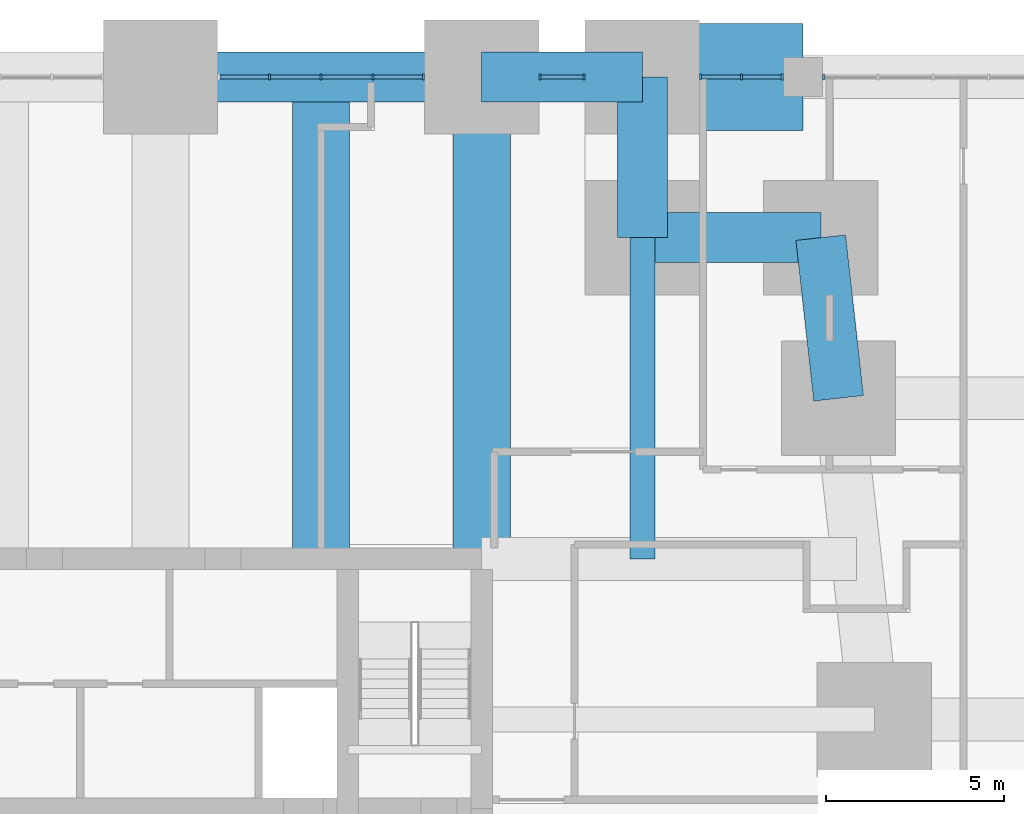
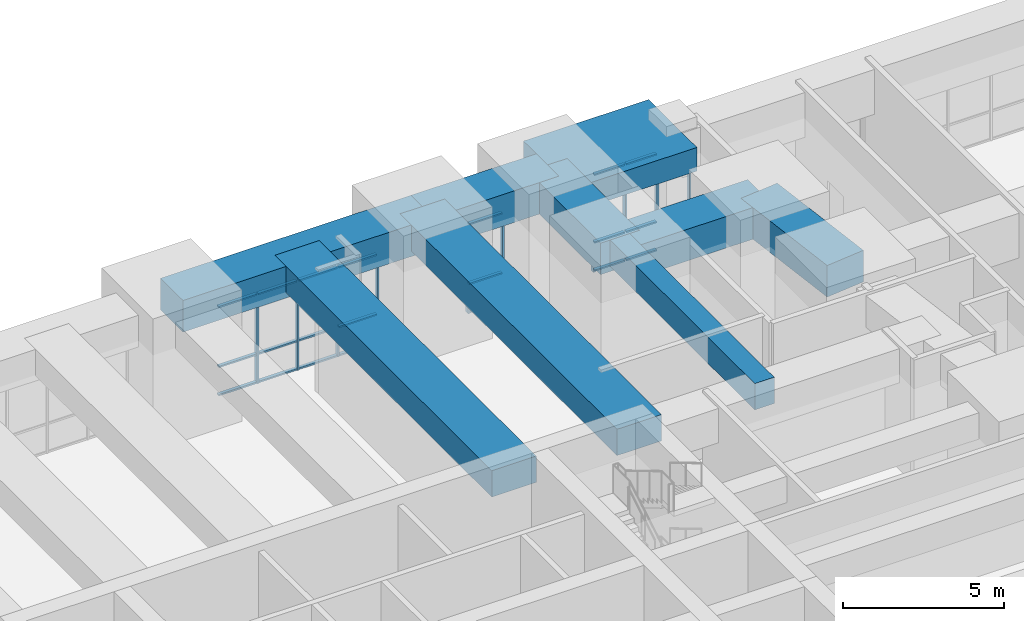
# One storey, part 10 of 22: 31 members, 9 beams, 4 elements without a shape of their own.
"""IFC4 building model written with IfcOpenShell, lengths in metres."""

from ifc_helpers import new_model, si_unit, direction, frame, origin, origin_2d, place, context, subcontext, project, spatial, rectangle, extrude, material, material_profile, profile_set, type_object, element, aggregate, save


model = new_model("IFC4")

# Units and contexts
model_context = context("Model", 3, precision=1e-05, world=origin(), true_north=direction((0.0, 1.0)))
body_context = subcontext(model_context, "Body", "Model", "MODEL_VIEW")
ifc_project = project(units=[si_unit("LENGTHUNIT", "METRE"), si_unit("AREAUNIT", "SQUARE_METRE"), si_unit("VOLUMEUNIT", "CUBIC_METRE"), si_unit("PLANEANGLEUNIT", "RADIAN"), si_unit("MASSUNIT", "GRAM", prefix="KILO")], contexts=[model_context])

# Site, building, storey
site_placement = place(None, origin())
site = spatial("IfcSite", under=ifc_project, at=site_placement, CompositionType="ELEMENT")
building_placement = place(site_placement, origin())
building = spatial("IfcBuilding", under=site, at=building_placement, Name="Kilele Tower Hotel", CompositionType="ELEMENT")
storey_placement = place(building_placement, frame((0.0, 0.0, 19.0)))
storey = spatial("IfcBuildingStorey", under=building, at=storey_placement, Name="L03", CompositionType="ELEMENT", Elevation=19.0)

# Beams
ifc_material_1 = material(Name="Concrete C60/75", Category="concrete")
ifc_material_profile_1 = material_profile(ifc_material_1, rectangle(XDim=1.60009765625, YDim=1.0, at=origin_2d()))
ifc_profile_set_1 = profile_set([ifc_material_profile_1], Name="Concrete C60/75")
beam_type_1 = type_object("IfcBeamType", Name="Beam RC 1600x1000 C60/75", PredefinedType="BEAM", material=ifc_profile_set_1)
for number, where, z_axis, x_axis, name in (
    (1, (36.0, 40.5, 4.10009765625), (0.0, -1.0, 0.0), (1.0, 0.0, 0.0), "Beam BC1 level L04"),
    (2, (31.5, 40.5, 4.10009765625), (0.0, -1.0, 0.0), (1.0, 0.0, 0.0), "Beam BC1 level L04"),
):
    element("IfcBeam", number, at=place(storey_placement, frame(where, z_axis=z_axis, x_axis=x_axis)), inside=storey, type_object=beam_type_1, Name=name, PredefinedType="BEAM", context=body_context, shape_type="SweptSolid", body=[
        extrude(rectangle(XDim=1.60009765625, YDim=1.0, at=origin_2d()), origin(), (0.0, 0.0, 1.0), 13.5),
    ])
ifc_material_2 = material(Name="Concrete C60/75", Category="concrete")
ifc_material_profile_2 = material_profile(ifc_material_2, rectangle(XDim=3.0, YDim=0.89990234375, at=origin_2d()))
ifc_profile_set_2 = profile_set([ifc_material_profile_2], Name="Concrete C60/75")
beam_type_2 = type_object("IfcBeamType", Name="Beam RC 3000x900 C60/75", PredefinedType="BEAM", material=ifc_profile_set_2)
beam_1_placement = place(storey_placement, frame((40.5, 40.5, 4.14990234375), z_axis=(1.0, 0.0, 0.0), x_axis=(0.0, 1.0, 0.0)))
element("IfcBeam", 3, at=beam_1_placement, inside=storey, type_object=beam_type_2, Name="Beam PB1 level L04", PredefinedType="BEAM", context=body_context, shape_type="SweptSolid", body=[
    extrude(rectangle(XDim=3.0, YDim=0.89990234375, at=origin_2d()), origin(), (0.0, 0.0, 1.0), 4.5),
])
ifc_material_3 = material(Name="Concrete C60/75", Category="concrete")
ifc_material_profile_3 = material_profile(ifc_material_3, rectangle(XDim=0.699951171875, YDim=1.0, at=origin_2d()))
ifc_profile_set_3 = profile_set([ifc_material_profile_3], Name="Concrete C60/75")
beam_type_3 = type_object("IfcBeamType", Name="Beam RC 700x1000 C60/75 mid span", PredefinedType="BEAM", material=ifc_profile_set_3)
beam_2_placement = place(storey_placement, frame((40.5, 36.0, 4.10009765625), z_axis=(0.0, -1.0, 0.0), x_axis=(1.0, 0.0, 0.0)))
element("IfcBeam", 4, at=beam_2_placement, inside=storey, type_object=beam_type_3, Name="Beam B5 level L04", PredefinedType="BEAM", context=body_context, shape_type="SweptSolid", body=[
    extrude(rectangle(XDim=0.699951171875, YDim=1.0, at=origin_2d()), origin(), (0.0, 0.0, 1.0), 9.0),
])

# Curtain wall, member
ifc_material_4 = material(Name="Aluminium curtain wall, clear double glazing", Category="aluminium")
curtain_wall_type = type_object("IfcCurtainWallType", Name="Podium curtain wall CW-1", PredefinedType="NOTDEFINED", material=ifc_material_4)
curtain_wall_1_placement = place(storey_placement, origin())
curtain_wall_1 = element("IfcCurtainWall", 5, at=curtain_wall_1_placement, inside=storey, type_object=curtain_wall_type, Name="Podium curtain wall CW-1 L03", PredefinedType="NOTDEFINED")
ifc_material_5 = material(Name="Aluminium EN AW-6063 T6", Category="aluminium")
ifc_material_profile_4 = material_profile(ifc_material_5, rectangle(XDim=0.159912109375, YDim=0.06005859375, at=origin_2d()))
ifc_profile_set_4 = profile_set([ifc_material_profile_4], Name="Aluminium EN AW-6063 T6")
member_type_1 = type_object("IfcMemberType", Name="Mullion 60x160 CW-1", PredefinedType="MULLION", material=ifc_profile_set_4)
member_1_placement = place(storey_placement, frame((45.580078125, 40.5, 0.0), z_axis=(0.0, 0.0, 1.0), x_axis=(0.0, -1.0, 0.0)))
member_1 = element("IfcMember", 6, at=member_1_placement, type_object=member_type_1, Name="CW-1 mullion 9", PredefinedType="MULLION", context=body_context, shape_type="SweptSolid", body=[
    extrude(rectangle(XDim=0.159912109375, YDim=0.06005859375, at=origin_2d()), origin(), (0.0, 0.0, 1.0), 2.89990234375),
])
aggregate(curtain_wall_1, [member_1])

# Curtain wall, members
curtain_wall_2_placement = place(storey_placement, origin())
curtain_wall_2 = element("IfcCurtainWall", 7, at=curtain_wall_2_placement, inside=storey, type_object=curtain_wall_type, Name="Podium curtain wall CW-1 L03", PredefinedType="NOTDEFINED")
member_2_placement = place(storey_placement, frame((44.419921875, 40.5, 0.0), z_axis=(0.0, 0.0, 1.0), x_axis=(0.0, -1.0, 0.0)))
member_2 = element("IfcMember", 8, at=member_2_placement, type_object=member_type_1, Name="CW-1 mullion 1", PredefinedType="MULLION", context=body_context, shape_type="SweptSolid", body=[
    extrude(rectangle(XDim=0.159912109375, YDim=0.06005859375, at=origin_2d()), origin(), (0.0, 0.0, 1.0), 3.699951171875),
])
member_3_placement = place(storey_placement, frame((43.27490234375, 40.5, 0.0), z_axis=(0.0, 0.0, 1.0), x_axis=(0.0, -1.0, 0.0)))
member_3 = element("IfcMember", 9, at=member_3_placement, type_object=member_type_1, Name="CW-1 mullion 2", PredefinedType="MULLION", context=body_context, shape_type="SweptSolid", body=[
    extrude(rectangle(XDim=0.159912109375, YDim=0.06005859375, at=origin_2d()), origin(), (0.0, 0.0, 1.0), 3.699951171875),
])
member_4_placement = place(storey_placement, frame((42.1298828125, 40.5, 0.0), z_axis=(0.0, 0.0, 1.0), x_axis=(0.0, -1.0, 0.0)))
member_4 = element("IfcMember", 10, at=member_4_placement, type_object=member_type_1, Name="CW-1 mullion 3", PredefinedType="MULLION", context=body_context, shape_type="SweptSolid", body=[
    extrude(rectangle(XDim=0.159912109375, YDim=0.06005859375, at=origin_2d()), origin(), (0.0, 0.0, 1.0), 3.699951171875),
])

curtain_wall_3_placement = place(storey_placement, origin())
curtain_wall_3 = element("IfcCurtainWall", 11, at=curtain_wall_3_placement, inside=storey, type_object=curtain_wall_type, Name="Podium curtain wall CW-1 L03", PredefinedType="NOTDEFINED")
member_5_placement = place(storey_placement, frame((38.8701171875, 40.5, 0.0), z_axis=(0.0, 0.0, 1.0), x_axis=(0.0, -1.0, 0.0)))
member_5 = element("IfcMember", 12, at=member_5_placement, type_object=member_type_1, Name="CW-1 mullion 1", PredefinedType="MULLION", context=body_context, shape_type="SweptSolid", body=[
    extrude(rectangle(XDim=0.159912109375, YDim=0.06005859375, at=origin_2d()), origin(), (0.0, 0.0, 1.0), 3.39990234375),
])
member_6_placement = place(storey_placement, frame((37.6298828125, 40.5, 0.0), z_axis=(0.0, 0.0, 1.0), x_axis=(0.0, -1.0, 0.0)))
member_6 = element("IfcMember", 13, at=member_6_placement, type_object=member_type_1, Name="CW-1 mullion 2", PredefinedType="MULLION", context=body_context, shape_type="SweptSolid", body=[
    extrude(rectangle(XDim=0.159912109375, YDim=0.06005859375, at=origin_2d()), origin(), (0.0, 0.0, 1.0), 3.39990234375),
])

curtain_wall_4_placement = place(storey_placement, origin())
curtain_wall_4 = element("IfcCurtainWall", 14, at=curtain_wall_4_placement, inside=storey, type_object=curtain_wall_type, Name="Podium curtain wall CW-1 L03", PredefinedType="NOTDEFINED")
member_7_placement = place(storey_placement, frame((34.3701171875, 40.5, 0.0), z_axis=(0.0, 0.0, 1.0), x_axis=(0.0, -1.0, 0.0)))
member_7 = element("IfcMember", 15, at=member_7_placement, type_object=member_type_1, Name="CW-1 mullion 1", PredefinedType="MULLION", context=body_context, shape_type="SweptSolid", body=[
    extrude(rectangle(XDim=0.159912109375, YDim=0.06005859375, at=origin_2d()), origin(), (0.0, 0.0, 1.0), 3.39990234375),
])
member_8_placement = place(storey_placement, frame((32.949951171875, 40.5, 0.0), z_axis=(0.0, 0.0, 1.0), x_axis=(0.0, -1.0, 0.0)))
member_8 = element("IfcMember", 16, at=member_8_placement, type_object=member_type_1, Name="CW-1 mullion 2", PredefinedType="MULLION", context=body_context, shape_type="SweptSolid", body=[
    extrude(rectangle(XDim=0.159912109375, YDim=0.06005859375, at=origin_2d()), origin(), (0.0, 0.0, 1.0), 3.39990234375),
])
member_9_placement = place(storey_placement, frame((31.5, 40.5, 0.0), z_axis=(0.0, 0.0, 1.0), x_axis=(0.0, -1.0, 0.0)))
member_9 = element("IfcMember", 17, at=member_9_placement, type_object=member_type_1, Name="CW-1 mullion 3", PredefinedType="MULLION", context=body_context, shape_type="SweptSolid", body=[
    extrude(rectangle(XDim=0.159912109375, YDim=0.06005859375, at=origin_2d()), origin(), (0.0, 0.0, 1.0), 3.39990234375),
])
member_10_placement = place(storey_placement, frame((30.050048828125, 40.5, 0.0), z_axis=(0.0, 0.0, 1.0), x_axis=(0.0, -1.0, 0.0)))
member_10 = element("IfcMember", 18, at=member_10_placement, type_object=member_type_1, Name="CW-1 mullion 4", PredefinedType="MULLION", context=body_context, shape_type="SweptSolid", body=[
    extrude(rectangle(XDim=0.159912109375, YDim=0.06005859375, at=origin_2d()), origin(), (0.0, 0.0, 1.0), 3.39990234375),
])

# Beams
ifc_material_6 = material(Name="Concrete C60/75", Category="concrete")
ifc_material_profile_5 = material_profile(ifc_material_6, rectangle(XDim=1.39990234375, YDim=1.199951171875, at=origin_2d()))
ifc_profile_set_5 = profile_set([ifc_material_profile_5], Name="Concrete C60/75")
beam_type_4 = type_object("IfcBeamType", Name="Spandrel RC 1400x1200 C60/75", PredefinedType="SPANDREL", material=ifc_profile_set_5)
beam_3_placement = place(storey_placement, frame((46.0, 31.5, 4.0), z_axis=(-0.110431526075, 0.993883734674, 0.0), x_axis=(-0.993883734674, -0.110431526075, 0.0)))
element("IfcBeam", 19, at=beam_3_placement, inside=storey, type_object=beam_type_4, Name="Spandrel SP10 level L04", PredefinedType="SPANDREL", context=body_context, shape_type="SweptSolid", body=[
    extrude(rectangle(XDim=1.39990234375, YDim=1.199951171875, at=origin_2d()), origin(), (0.0, 0.0, 1.0), 4.527587890625),
])
beam_4_placement = place(storey_placement, frame((45.5, 36.0, 4.0), z_axis=(-1.0, 0.0, 0.0), x_axis=(0.0, -1.0, 0.0)))
element("IfcBeam", 20, at=beam_4_placement, inside=storey, type_object=beam_type_4, Name="Spandrel SP10 level L04", PredefinedType="SPANDREL", context=body_context, shape_type="SweptSolid", body=[
    extrude(rectangle(XDim=1.39990234375, YDim=1.199951171875, at=origin_2d()), origin(), (0.0, 0.0, 1.0), 5.0),
])
for number, where, z_axis, x_axis, name in (
    (21, (40.5, 36.0, 4.0), (0.0, 1.0, 0.0), (-1.0, 0.0, 0.0), "Spandrel SP10 level L04"),
    (22, (40.5, 40.5, 4.0), (-1.0, 0.0, 0.0), (0.0, -1.0, 0.0), "Spandrel SP10 level L04"),
):
    element("IfcBeam", number, at=place(storey_placement, frame(where, z_axis=z_axis, x_axis=x_axis)), inside=storey, type_object=beam_type_4, Name=name, PredefinedType="SPANDREL", context=body_context, shape_type="SweptSolid", body=[
        extrude(rectangle(XDim=1.39990234375, YDim=1.199951171875, at=origin_2d()), origin(), (0.0, 0.0, 1.0), 4.5),
    ])
beam_5_placement = place(storey_placement, frame((36.0, 40.5, 4.0), z_axis=(-1.0, 0.0, 0.0), x_axis=(0.0, -1.0, 0.0)))
element("IfcBeam", 23, at=beam_5_placement, inside=storey, type_object=beam_type_4, Name="Spandrel SP10 level L04", PredefinedType="SPANDREL", context=body_context, shape_type="SweptSolid", body=[
    extrude(rectangle(XDim=1.39990234375, YDim=1.199951171875, at=origin_2d()), origin(), (0.0, 0.0, 1.0), 9.0),
])

# Member
ifc_material_7 = material(Name="Aluminium EN AW-6063 T6", Category="aluminium")
ifc_material_profile_6 = material_profile(ifc_material_7, rectangle(XDim=0.1201171875, YDim=0.06005859375, at=origin_2d()))
ifc_profile_set_6 = profile_set([ifc_material_profile_6], Name="Aluminium EN AW-6063 T6")
member_type_2 = type_object("IfcMemberType", Name="Transom 60x120 CW-1", PredefinedType="USERDEFINED", material=ifc_profile_set_6)
member_11_placement = place(storey_placement, frame((44.389892578125, 40.5, 0.030029296875), z_axis=(-1.0, 0.0, 0.0), x_axis=(0.0, -1.0, 0.0)))
member_11 = element("IfcMember", 24, at=member_11_placement, type_object=member_type_2, Name="CW-1 transom 1.1", ObjectType="TRANSOM", PredefinedType="USERDEFINED", context=body_context, shape_type="SweptSolid", body=[
    extrude(rectangle(XDim=0.1201171875, YDim=0.06005859375, at=origin_2d()), origin(), (0.0, 0.0, 1.0), 1.0849609375),
])

member_12_placement = place(storey_placement, frame((44.389892578125, 40.5, 1.10009765625), z_axis=(-1.0, 0.0, 0.0), x_axis=(0.0, -1.0, 0.0)))
member_12 = element("IfcMember", 25, at=member_12_placement, type_object=member_type_2, Name="CW-1 transom 1.2", ObjectType="TRANSOM", PredefinedType="USERDEFINED", context=body_context, shape_type="SweptSolid", body=[
    extrude(rectangle(XDim=0.1201171875, YDim=0.06005859375, at=origin_2d()), origin(), (0.0, 0.0, 1.0), 1.0849609375),
])

member_13_placement = place(storey_placement, frame((44.389892578125, 40.5, 3.669921875), z_axis=(-1.0, 0.0, 0.0), x_axis=(0.0, -1.0, 0.0)))
member_13 = element("IfcMember", 26, at=member_13_placement, type_object=member_type_2, Name="CW-1 transom 1.3", ObjectType="TRANSOM", PredefinedType="USERDEFINED", context=body_context, shape_type="SweptSolid", body=[
    extrude(rectangle(XDim=0.1201171875, YDim=0.06005859375, at=origin_2d()), origin(), (0.0, 0.0, 1.0), 1.0849609375),
])

member_14_placement = place(storey_placement, frame((43.2451171875, 40.5, 0.030029296875), z_axis=(-1.0, 0.0, 0.0), x_axis=(0.0, -1.0, 0.0)))
member_14 = element("IfcMember", 27, at=member_14_placement, type_object=member_type_2, Name="CW-1 transom 2.1", ObjectType="TRANSOM", PredefinedType="USERDEFINED", context=body_context, shape_type="SweptSolid", body=[
    extrude(rectangle(XDim=0.1201171875, YDim=0.06005859375, at=origin_2d()), origin(), (0.0, 0.0, 1.0), 1.085205078125),
])

member_15_placement = place(storey_placement, frame((43.2451171875, 40.5, 1.10009765625), z_axis=(-1.0, 0.0, 0.0), x_axis=(0.0, -1.0, 0.0)))
member_15 = element("IfcMember", 28, at=member_15_placement, type_object=member_type_2, Name="CW-1 transom 2.2", ObjectType="TRANSOM", PredefinedType="USERDEFINED", context=body_context, shape_type="SweptSolid", body=[
    extrude(rectangle(XDim=0.1201171875, YDim=0.06005859375, at=origin_2d()), origin(), (0.0, 0.0, 1.0), 1.085205078125),
])

member_16_placement = place(storey_placement, frame((43.2451171875, 40.5, 3.669921875), z_axis=(-1.0, 0.0, 0.0), x_axis=(0.0, -1.0, 0.0)))
member_16 = element("IfcMember", 29, at=member_16_placement, type_object=member_type_2, Name="CW-1 transom 2.3", ObjectType="TRANSOM", PredefinedType="USERDEFINED", context=body_context, shape_type="SweptSolid", body=[
    extrude(rectangle(XDim=0.1201171875, YDim=0.06005859375, at=origin_2d()), origin(), (0.0, 0.0, 1.0), 1.085205078125),
])

aggregate(curtain_wall_2, [member_2, member_3, member_4, member_11, member_12, member_13, member_14, member_15, member_16])

member_17_placement = place(storey_placement, frame((38.840087890625, 40.5, 0.030029296875), z_axis=(-1.0, 0.0, 0.0), x_axis=(0.0, -1.0, 0.0)))
member_17 = element("IfcMember", 30, at=member_17_placement, type_object=member_type_2, Name="CW-1 transom 1.1", ObjectType="TRANSOM", PredefinedType="USERDEFINED", context=body_context, shape_type="SweptSolid", body=[
    extrude(rectangle(XDim=0.1201171875, YDim=0.06005859375, at=origin_2d()), origin(), (0.0, 0.0, 1.0), 1.18017578125),
])

member_18_placement = place(storey_placement, frame((38.840087890625, 40.5, 1.10009765625), z_axis=(-1.0, 0.0, 0.0), x_axis=(0.0, -1.0, 0.0)))
member_18 = element("IfcMember", 31, at=member_18_placement, type_object=member_type_2, Name="CW-1 transom 1.2", ObjectType="TRANSOM", PredefinedType="USERDEFINED", context=body_context, shape_type="SweptSolid", body=[
    extrude(rectangle(XDim=0.1201171875, YDim=0.06005859375, at=origin_2d()), origin(), (0.0, 0.0, 1.0), 1.18017578125),
])

member_19_placement = place(storey_placement, frame((38.840087890625, 40.5, 3.3701171875), z_axis=(-1.0, 0.0, 0.0), x_axis=(0.0, -1.0, 0.0)))
member_19 = element("IfcMember", 32, at=member_19_placement, type_object=member_type_2, Name="CW-1 transom 1.3", ObjectType="TRANSOM", PredefinedType="USERDEFINED", context=body_context, shape_type="SweptSolid", body=[
    extrude(rectangle(XDim=0.1201171875, YDim=0.06005859375, at=origin_2d()), origin(), (0.0, 0.0, 1.0), 1.18017578125),
])

aggregate(curtain_wall_3, [member_5, member_6, member_17, member_18, member_19])

member_20_placement = place(storey_placement, frame((34.340087890625, 40.5, 0.030029296875), z_axis=(-1.0, 0.0, 0.0), x_axis=(0.0, -1.0, 0.0)))
member_20 = element("IfcMember", 33, at=member_20_placement, type_object=member_type_2, Name="CW-1 transom 1.1", ObjectType="TRANSOM", PredefinedType="USERDEFINED", context=body_context, shape_type="SweptSolid", body=[
    extrude(rectangle(XDim=0.1201171875, YDim=0.06005859375, at=origin_2d()), origin(), (0.0, 0.0, 1.0), 1.360107421875),
])

member_21_placement = place(storey_placement, frame((34.340087890625, 40.5, 1.10009765625), z_axis=(-1.0, 0.0, 0.0), x_axis=(0.0, -1.0, 0.0)))
member_21 = element("IfcMember", 34, at=member_21_placement, type_object=member_type_2, Name="CW-1 transom 1.2", ObjectType="TRANSOM", PredefinedType="USERDEFINED", context=body_context, shape_type="SweptSolid", body=[
    extrude(rectangle(XDim=0.1201171875, YDim=0.06005859375, at=origin_2d()), origin(), (0.0, 0.0, 1.0), 1.360107421875),
])

member_22_placement = place(storey_placement, frame((34.340087890625, 40.5, 3.3701171875), z_axis=(-1.0, 0.0, 0.0), x_axis=(0.0, -1.0, 0.0)))
member_22 = element("IfcMember", 35, at=member_22_placement, type_object=member_type_2, Name="CW-1 transom 1.3", ObjectType="TRANSOM", PredefinedType="USERDEFINED", context=body_context, shape_type="SweptSolid", body=[
    extrude(rectangle(XDim=0.1201171875, YDim=0.06005859375, at=origin_2d()), origin(), (0.0, 0.0, 1.0), 1.360107421875),
])

member_23_placement = place(storey_placement, frame((32.919921875, 40.5, 0.030029296875), z_axis=(-1.0, 0.0, 0.0), x_axis=(0.0, -1.0, 0.0)))
member_23 = element("IfcMember", 36, at=member_23_placement, type_object=member_type_2, Name="CW-1 transom 2.1", ObjectType="TRANSOM", PredefinedType="USERDEFINED", context=body_context, shape_type="SweptSolid", body=[
    extrude(rectangle(XDim=0.1201171875, YDim=0.06005859375, at=origin_2d()), origin(), (0.0, 0.0, 1.0), 1.389892578125),
])

member_24_placement = place(storey_placement, frame((32.919921875, 40.5, 1.10009765625), z_axis=(-1.0, 0.0, 0.0), x_axis=(0.0, -1.0, 0.0)))
member_24 = element("IfcMember", 37, at=member_24_placement, type_object=member_type_2, Name="CW-1 transom 2.2", ObjectType="TRANSOM", PredefinedType="USERDEFINED", context=body_context, shape_type="SweptSolid", body=[
    extrude(rectangle(XDim=0.1201171875, YDim=0.06005859375, at=origin_2d()), origin(), (0.0, 0.0, 1.0), 1.389892578125),
])

member_25_placement = place(storey_placement, frame((32.919921875, 40.5, 3.3701171875), z_axis=(-1.0, 0.0, 0.0), x_axis=(0.0, -1.0, 0.0)))
member_25 = element("IfcMember", 38, at=member_25_placement, type_object=member_type_2, Name="CW-1 transom 2.3", ObjectType="TRANSOM", PredefinedType="USERDEFINED", context=body_context, shape_type="SweptSolid", body=[
    extrude(rectangle(XDim=0.1201171875, YDim=0.06005859375, at=origin_2d()), origin(), (0.0, 0.0, 1.0), 1.389892578125),
])

member_26_placement = place(storey_placement, frame((31.469970703125, 40.5, 0.030029296875), z_axis=(-1.0, 0.0, 0.0), x_axis=(0.0, -1.0, 0.0)))
member_26 = element("IfcMember", 39, at=member_26_placement, type_object=member_type_2, Name="CW-1 transom 3.1", ObjectType="TRANSOM", PredefinedType="USERDEFINED", context=body_context, shape_type="SweptSolid", body=[
    extrude(rectangle(XDim=0.1201171875, YDim=0.06005859375, at=origin_2d()), origin(), (0.0, 0.0, 1.0), 1.389892578125),
])

member_27_placement = place(storey_placement, frame((31.469970703125, 40.5, 1.10009765625), z_axis=(-1.0, 0.0, 0.0), x_axis=(0.0, -1.0, 0.0)))
member_27 = element("IfcMember", 40, at=member_27_placement, type_object=member_type_2, Name="CW-1 transom 3.2", ObjectType="TRANSOM", PredefinedType="USERDEFINED", context=body_context, shape_type="SweptSolid", body=[
    extrude(rectangle(XDim=0.1201171875, YDim=0.06005859375, at=origin_2d()), origin(), (0.0, 0.0, 1.0), 1.389892578125),
])

member_28_placement = place(storey_placement, frame((31.469970703125, 40.5, 3.3701171875), z_axis=(-1.0, 0.0, 0.0), x_axis=(0.0, -1.0, 0.0)))
member_28 = element("IfcMember", 41, at=member_28_placement, type_object=member_type_2, Name="CW-1 transom 3.3", ObjectType="TRANSOM", PredefinedType="USERDEFINED", context=body_context, shape_type="SweptSolid", body=[
    extrude(rectangle(XDim=0.1201171875, YDim=0.06005859375, at=origin_2d()), origin(), (0.0, 0.0, 1.0), 1.389892578125),
])

member_29_placement = place(storey_placement, frame((30.02001953125, 40.5, 0.030029296875), z_axis=(-1.0, 0.0, 0.0), x_axis=(0.0, -1.0, 0.0)))
member_29 = element("IfcMember", 42, at=member_29_placement, type_object=member_type_2, Name="CW-1 transom 4.1", ObjectType="TRANSOM", PredefinedType="USERDEFINED", context=body_context, shape_type="SweptSolid", body=[
    extrude(rectangle(XDim=0.1201171875, YDim=0.06005859375, at=origin_2d()), origin(), (0.0, 0.0, 1.0), 1.360107421875),
])

member_30_placement = place(storey_placement, frame((30.02001953125, 40.5, 1.10009765625), z_axis=(-1.0, 0.0, 0.0), x_axis=(0.0, -1.0, 0.0)))
member_30 = element("IfcMember", 43, at=member_30_placement, type_object=member_type_2, Name="CW-1 transom 4.2", ObjectType="TRANSOM", PredefinedType="USERDEFINED", context=body_context, shape_type="SweptSolid", body=[
    extrude(rectangle(XDim=0.1201171875, YDim=0.06005859375, at=origin_2d()), origin(), (0.0, 0.0, 1.0), 1.360107421875),
])

member_31_placement = place(storey_placement, frame((30.02001953125, 40.5, 3.3701171875), z_axis=(-1.0, 0.0, 0.0), x_axis=(0.0, -1.0, 0.0)))
member_31 = element("IfcMember", 44, at=member_31_placement, type_object=member_type_2, Name="CW-1 transom 4.3", ObjectType="TRANSOM", PredefinedType="USERDEFINED", context=body_context, shape_type="SweptSolid", body=[
    extrude(rectangle(XDim=0.1201171875, YDim=0.06005859375, at=origin_2d()), origin(), (0.0, 0.0, 1.0), 1.360107421875),
])

aggregate(curtain_wall_4, [member_7, member_8, member_9, member_10, member_20, member_21, member_22, member_23, member_24, member_25, member_26, member_27, member_28, member_29, member_30, member_31])

save(model, "model.ifc")
